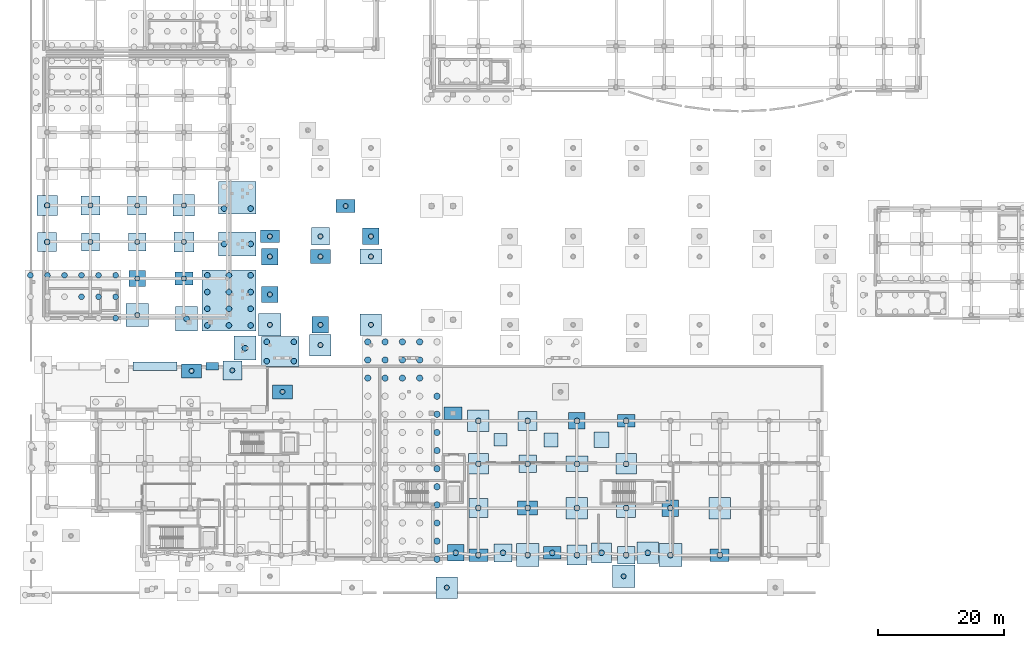
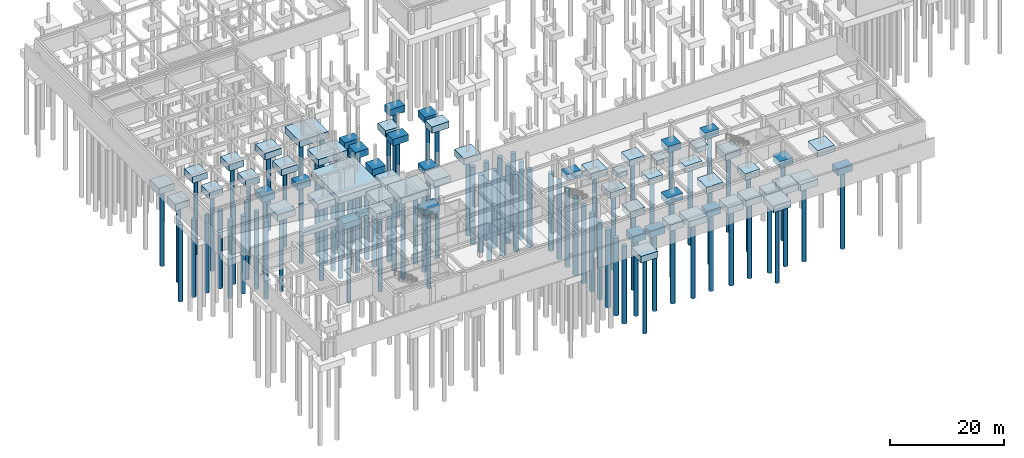
# One storey, part 2 of 22: 106 piles, 65 footings.
"""IFC4 building model written with IfcOpenShell, lengths in metres."""

import ifcopenshell
import ifcopenshell.guid

model = None  # the IFC model being written
_history = None  # IfcOwnerHistory: only IFC2X3 demands one
_inside = {}  # id of a spatial element -> (the spatial element, [elements in it])
_under = {}  # id of a project, library or spatial element -> (it, [spatial elements below it])
_declared = {}  # id of a project -> (the project, [libraries it declares])
_typed = {}  # id of a type object -> (the type object, [elements of that type])
_made_of = {}  # id of a material, layer set ... -> (it, [elements and type objects made of it])


def new_model(schema):
    """Start an empty IFC model of exactly this schema.

    Asked for "IFC4X3", IfcOpenShell would pick the latest addendum, in which some entities
    have other attributes; the version numbers below select the first issue.
    IFC2X3 requires an IfcOwnerHistory on every rooted entity: one is made here for all.
    """
    global model, _history
    if schema == "IFC4X3":
        model = ifcopenshell.file(schema_version=(4, 3, 0, 0))
    else:
        model = ifcopenshell.file(schema=schema)
    _inside.clear()
    _under.clear()
    _declared.clear()
    _typed.clear()
    _made_of.clear()
    _history = None
    if model.schema == "IFC2X3":
        org = make("IfcOrganization", Name="unknown")
        user = make(
            "IfcPersonAndOrganization",
            ThePerson=make("IfcPerson", FamilyName="unknown"),
            TheOrganization=org,
        )
        app = make(
            "IfcApplication",
            ApplicationDeveloper=org,
            Version="unknown",
            ApplicationFullName="unknown",
            ApplicationIdentifier="unknown",
        )
        _history = make(
            "IfcOwnerHistory",
            OwningUser=user,
            OwningApplication=app,
            ChangeAction="ADDED",
            CreationDate=0,
        )
    return model


def make(cls, **values):
    """One entity of the class cls with the attributes given. An attribute that is None is left unset."""
    return model.create_entity(
        cls, **{name: value for name, value in values.items() if value is not None}
    )


def rooted(cls, **values):
    """An entity with a GlobalId (a new one), such as an element, a storey or a relation."""
    return make(cls, GlobalId=ifcopenshell.guid.new(), OwnerHistory=_history, **values)


def si_unit(unit_type, name, prefix=None):
    """IfcSIUnit, for example si_unit("LENGTHUNIT", "METRE", prefix="MILLI")."""
    return make("IfcSIUnit", UnitType=unit_type, Prefix=prefix, Name=name)


def assignment(units):
    """IfcUnitAssignment: the units of a project."""
    return None if units is None else make("IfcUnitAssignment", Units=units)


def point(xyz):
    """IfcCartesianPoint."""
    return None if xyz is None else make("IfcCartesianPoint", Coordinates=xyz)


def direction(xyz):
    """IfcDirection."""
    return None if xyz is None else make("IfcDirection", DirectionRatios=xyz)


def frame(location, z_axis=None, x_axis=None):
    """IfcAxis2Placement3D, a coordinate frame: its origin and axes. An axis left out is left unset."""
    return make(
        "IfcAxis2Placement3D",
        Location=point(location),
        Axis=direction(z_axis),
        RefDirection=direction(x_axis),
    )


def frame_2d(location, x_axis=None):
    """IfcAxis2Placement2D, a coordinate frame in the plane: its origin and x axis."""
    return make(
        "IfcAxis2Placement2D", Location=point(location), RefDirection=direction(x_axis)
    )


def origin():
    """The frame at (0, 0, 0) with its axes left unset."""
    return frame((0.0, 0.0, 0.0))


def origin_2d():
    """The frame at (0, 0) in the plane with its x axis left unset."""
    return frame_2d((0.0, 0.0))


def place(relative_to, where):
    """IfcLocalPlacement: puts the frame where relative to a parent placement (None: the world)."""
    return make(
        "IfcLocalPlacement", PlacementRelTo=relative_to, RelativePlacement=where
    )


def context(
    kind, dimensions, precision=None, world=None, true_north=None, identifier=None
):
    """IfcGeometricRepresentationContext, for example the 3D "Model" context."""
    return make(
        "IfcGeometricRepresentationContext",
        ContextIdentifier=identifier,
        ContextType=kind,
        CoordinateSpaceDimension=dimensions,
        Precision=precision,
        WorldCoordinateSystem=world,
        TrueNorth=true_north,
    )


def subcontext(parent, identifier, kind, view, scale=None):
    """IfcGeometricRepresentationSubContext, for example "Body" below "Model"."""
    return make(
        "IfcGeometricRepresentationSubContext",
        ContextIdentifier=identifier,
        ContextType=kind,
        ParentContext=parent,
        TargetScale=scale,
        TargetView=view,
    )


def project(units=None, contexts=None):
    """IfcProject with its units and contexts."""
    return rooted(
        "IfcProject",
        Name="project",
        RepresentationContexts=contexts,
        UnitsInContext=assignment(units),
    )


def spatial(cls, under=None, at=None, **own):
    """A site, building, storey or space (cls), placed at a placement, below another one or the project."""
    s = rooted(cls, ObjectPlacement=at, **own)
    if under is not None:
        _under.setdefault(under.id(), (under, []))[1].append(s)
    return s


def polyline(points):
    """IfcPolyline through the points."""
    return make("IfcPolyline", Points=[point(p) for p in points])


def profile(cls, at=None, kind="AREA", **sizes):
    """A parametric profile (cls). Its sizes go by their IFC names, for example OverallWidth=200.0."""
    return make(cls, ProfileType=kind, Position=at, **sizes)


def rectangle(**sizes):
    """IfcRectangleProfileDef."""
    return profile("IfcRectangleProfileDef", **sizes)


def circle(**sizes):
    """IfcCircleProfileDef."""
    return profile("IfcCircleProfileDef", **sizes)


def outline(outer, holes=None, kind="AREA"):
    """IfcArbitraryClosedProfileDef: a profile drawn as a closed curve; with holes, ...WithVoids."""
    if holes is None:
        return make("IfcArbitraryClosedProfileDef", ProfileType=kind, OuterCurve=outer)
    return make(
        "IfcArbitraryProfileDefWithVoids",
        ProfileType=kind,
        OuterCurve=outer,
        InnerCurves=holes,
    )


def extrude(swept, where, along, depth):
    """IfcExtrudedAreaSolid: the profile swept, set in the frame where, extruded along a direction by depth."""
    return make(
        "IfcExtrudedAreaSolid",
        SweptArea=swept,
        Position=where,
        ExtrudedDirection=direction(along),
        Depth=depth,
    )


def shape(context_of_items, identifier, shape_type, items):
    """IfcShapeRepresentation: the items that make up one representation, for example the "Body"."""
    return make(
        "IfcShapeRepresentation",
        ContextOfItems=context_of_items,
        RepresentationIdentifier=identifier,
        RepresentationType=shape_type,
        Items=items,
    )


def material(Name=None, Category=None):
    """IfcMaterial."""
    return make("IfcMaterial", Name=Name, Category=Category)


def material_profile(
    of_material, cross_section, Name=None, Category=None, Priority=None
):
    """IfcMaterialProfile: a cross section and its material."""
    return make(
        "IfcMaterialProfile",
        Name=Name,
        Material=of_material,
        Profile=cross_section,
        Priority=Priority,
        Category=Category,
    )


def profile_set(profiles, Name=None, composite=None):
    """IfcMaterialProfileSet."""
    return make(
        "IfcMaterialProfileSet",
        Name=Name,
        MaterialProfiles=profiles,
        CompositeProfile=composite,
    )


def made_of(thing, what):
    """Note that an element or type object is made of a material, layer set ...; save() writes the relation."""
    if what is not None:
        _made_of.setdefault(what.id(), (what, []))[1].append(thing)
    return thing


def type_object(cls, material=None, **own):
    """A type object (cls), such as IfcWallType, which elements share."""
    return made_of(rooted(cls, **own), material)


def element(
    cls,
    number,
    at=None,
    inside=None,
    cuts=None,
    type_object=None,
    material=None,
    context=None,
    identifier="Body",
    shape_type=None,
    held_by="IfcProductDefinitionShape",
    body=None,
    shapes=None,
    **own,
):
    """One element of the class cls, such as IfcWall. Its Tag is "e" and its number.

    at: its placement. inside: the storey or other place that contains it. cuts: it is an
    opening in that element (IfcRelVoidsElement). A single representation is given by context,
    identifier, shape_type and body (its items); several are given by shapes. held_by: the class
    of the entity that holds the representations. save() writes the other relations.
    """
    e = rooted(cls, Tag="e%d" % number, ObjectPlacement=at, **own)
    if body is not None:
        shapes = [shape(context, identifier, shape_type, body)]
    if shapes is not None:
        e.Representation = make(held_by, Representations=shapes)
    if inside is not None:
        _inside.setdefault(inside.id(), (inside, []))[1].append(e)
    if cuts is not None:
        rooted(
            "IfcRelVoidsElement", RelatingBuildingElement=cuts, RelatedOpeningElement=e
        )
    if type_object is not None:
        _typed.setdefault(type_object.id(), (type_object, []))[1].append(e)
    return made_of(e, material)


def aggregate(whole, parts):
    """IfcRelAggregates: a whole, such as a stair, and the parts it consists of."""
    return rooted("IfcRelAggregates", RelatingObject=whole, RelatedObjects=parts)


def save(model, path):
    """Write the relations noted so far, then the file.

    IfcRelAggregates (storeys below a building ...), IfcRelContainedInSpatialStructure (elements
    in a storey), IfcRelDefinesByType, IfcRelAssociatesMaterial and IfcRelDeclares: one each for
    every whole, place, type object, material and project.
    """
    for whole, parts in _under.values():
        aggregate(whole, parts)
    for where, things in _inside.values():
        rooted(
            "IfcRelContainedInSpatialStructure",
            RelatedElements=things,
            RelatingStructure=where,
        )
    for kind, things in _typed.values():
        rooted("IfcRelDefinesByType", RelatedObjects=things, RelatingType=kind)
    for what, things in _made_of.values():
        rooted("IfcRelAssociatesMaterial", RelatedObjects=things, RelatingMaterial=what)
    for by, libraries in _declared.values():
        rooted("IfcRelDeclares", RelatingContext=by, RelatedDefinitions=libraries)
    model.write(path)


model = new_model("IFC4")

# Units and contexts
model_context = context("Model", 3, precision=1e-05, world=origin(), true_north=direction((0.0, 1.0)))
body_context = subcontext(model_context, "Body", "Model", "MODEL_VIEW")
ifc_project = project(units=[si_unit("LENGTHUNIT", "METRE"), si_unit("AREAUNIT", "SQUARE_METRE"), si_unit("VOLUMEUNIT", "CUBIC_METRE"), si_unit("PLANEANGLEUNIT", "RADIAN"), si_unit("MASSUNIT", "GRAM", prefix="KILO")], contexts=[model_context])

# Site, building, storey
site_placement = place(None, origin())
site = spatial("IfcSite", under=ifc_project, at=site_placement, CompositionType="ELEMENT")
building_placement = place(site_placement, origin())
building = spatial("IfcBuilding", under=site, at=building_placement, Name="Valcora Specialist Clinic", CompositionType="ELEMENT")
storey_placement = place(building_placement, frame((0.0, 0.0, -4.419921875)))
storey = spatial("IfcBuildingStorey", under=building, at=storey_placement, Name="B1", CompositionType="ELEMENT", Elevation=-4.419921875)

# Footings
ifc_material = material(Name="Concrete C35/45", Category="concrete")
footing_type_1 = type_object("IfcFootingType", Name="TY-FT-PC2600", PredefinedType="PILE_CAP", material=ifc_material)
for number, where, z_axis, x_axis, name in (
    (1, (15.0, 44.535888671875, -1.400146484375), (0.0, 0.0, 1.0), (1.0, 0.0, 0.0), "Pile cap FT-PC-012"),
    (2, (84.60009765625, 22.0, -1.400146484375), (0.0, 0.0, 1.0), (1.0, 0.0, 0.0), "Pile cap FT-PC-156"),
    (3, (99.39990234375, 8.199951171875, -1.400146484375), (0.0, 0.0, 1.0), (1.0, 0.0, 0.0), "Pile cap FT-PC-162"),
    (4, (65.39990234375, 1.10009765625, -1.400146484375), (0.0, 0.0, 1.0), (1.0, 0.0, 0.0), "Pile cap FT-PC-198"),
    (5, (36.0, 48.0, -1.400146484375), (0.0, 0.0, 1.0), (1.0, 0.0, 0.0), "Pile cap FT-PC-204"),
    (6, (44.0, 37.199951171875, -1.400146484375), (0.0, 0.0, 1.0), (1.0, 0.0, 0.0), "Pile cap FT-PC-209"),
    (7, (52.0, 51.199951171875, -1.400146484375), (0.0, 0.0, 1.0), (1.0, 0.0, 0.0), "Pile cap FT-PC-216"),
    (8, (36.0, 42.0, -1.400146484375), (0.0, 0.0, 1.0), (1.0, 0.0, 0.0), "Pile cap FT-PC-264"),
):
    element("IfcFooting", number, at=place(storey_placement, frame(where, z_axis=z_axis, x_axis=x_axis)), inside=storey, type_object=footing_type_1, Name=name, PredefinedType="PILE_CAP", context=body_context, shape_type="SweptSolid", body=[
        extrude(rectangle(XDim=2.60009765625, YDim=2.60009765625, at=origin_2d()), origin(), (0.0, 0.0, 1.0), 1.39990234375),
    ])
footing_type_2 = type_object("IfcFootingType", Name="TY-FT-PC2800", PredefinedType="PILE_CAP", material=ifc_material)
for number, where, z_axis, x_axis, name in (
    (9, (7.60009765625, 50.321044921875, -1.400146484375), (0.0, 0.0, 1.0), (1.0, 0.0, 0.0), "Pile cap FT-PC-007"),
    (10, (15.0, 50.321044921875, -1.400146484375), (0.0, 0.0, 1.0), (1.0, 0.0, 0.0), "Pile cap FT-PC-013"),
    (11, (76.800048828125, 15.199951171875, -1.400146484375), (0.0, 0.0, 1.0), (1.0, 0.0, 0.0), "Pile cap FT-PC-151"),
    (12, (92.39990234375, 0.75, -1.400146484375), (0.0, 0.0, 1.0), (1.0, 0.0, 0.0), "Pile cap FT-PC-157"),
    (13, (72.89990234375, 1.10009765625, -1.400146484375), (0.0, 0.0, 1.0), (1.0, 0.0, 0.0), "Pile cap FT-PC-199"),
    (14, (44.0, 51.199951171875, -1.400146484375), (0.0, 0.0, 1.0), (1.0, 0.0, 0.0), "Pile cap FT-PC-211"),
):
    element("IfcFooting", number, at=place(storey_placement, frame(where, z_axis=z_axis, x_axis=x_axis)), inside=storey, type_object=footing_type_2, Name=name, PredefinedType="PILE_CAP", context=body_context, shape_type="SweptSolid", body=[
        extrude(rectangle(XDim=2.800048828125, YDim=2.800048828125, at=origin_2d()), origin(), (0.0, 0.0, 1.0), 1.39990234375),
    ])
footing_type_3 = type_object("IfcFootingType", Name="TY-FT-PC2800X2000", PredefinedType="PILE_CAP", material=ifc_material)
for number, where, z_axis, x_axis, name in (
    (15, (22.39990234375, 44.535888671875, -1.400146484375), (0.0, 0.0, 1.0), (1.0, 0.0, 0.0), "Pile cap FT-PC-020"),
    (16, (92.39990234375, 22.0, -1.400146484375), (0.0, 0.0, 1.0), (1.0, 0.0, 0.0), "Pile cap FT-PC-160"),
    (17, (65.0, 23.199951171875, -1.400146484375), (0.0, 0.0, 1.0), (1.0, 0.0, 0.0), "Pile cap FT-PC-180"),
    (18, (80.699951171875, 1.10009765625, -1.400146484375), (0.0, 0.0, 1.0), (1.0, 0.0, 0.0), "Pile cap FT-PC-200"),
):
    element("IfcFooting", number, at=place(storey_placement, frame(where, z_axis=z_axis, x_axis=x_axis)), inside=storey, type_object=footing_type_3, Name=name, PredefinedType="PILE_CAP", context=body_context, shape_type="SweptSolid", body=[
        extrude(rectangle(XDim=2.800048828125, YDim=2.0, at=origin_2d()), origin(), (0.0, 0.0, 1.0), 1.39990234375),
    ])
footing_type_4 = type_object("IfcFootingType", Name="TY-FT-PC3000", PredefinedType="PILE_CAP", material=ifc_material)
for number, where, z_axis, x_axis, name in (
    (19, (0.75, 50.321044921875, -1.400146484375), (0.0, 0.0, 1.0), (1.0, 0.0, 0.0), "Pile cap FT-PC-002"),
    (20, (7.60009765625, 56.10693359375, -1.400146484375), (0.0, 0.0, 1.0), (1.0, 0.0, 0.0), "Pile cap FT-PC-008"),
    (21, (15.0, 56.10693359375, -1.400146484375), (0.0, 0.0, 1.0), (1.0, 0.0, 0.0), "Pile cap FT-PC-014"),
    (22, (69.0, 8.199951171875, -1.400146484375), (0.0, 0.0, 1.0), (1.0, 0.0, 0.0), "Pile cap FT-PC-146"),
    (23, (76.800048828125, 22.0, -1.400146484375), (0.0, 0.0, 1.0), (1.0, 0.0, 0.0), "Pile cap FT-PC-152"),
    (24, (92.39990234375, 8.199951171875, -1.400146484375), (0.0, 0.0, 1.0), (1.0, 0.0, 0.0), "Pile cap FT-PC-158"),
    (25, (30.050048828125, 30.0, -1.400146484375), (0.0, 0.0, 1.0), (1.0, 0.0, 0.0), "Pile cap FT-PC-194"),
):
    element("IfcFooting", number, at=place(storey_placement, frame(where, z_axis=z_axis, x_axis=x_axis)), inside=storey, type_object=footing_type_4, Name=name, PredefinedType="PILE_CAP", context=body_context, shape_type="SweptSolid", body=[
        extrude(rectangle(XDim=3.0, YDim=3.0, at=origin_2d()), origin(), (0.0, 0.0, 1.0), 1.39990234375),
    ])
footing_type_5 = type_object("IfcFootingType", Name="TY-FT-PC3000X2000", PredefinedType="PILE_CAP", material=ifc_material)
for number, where, z_axis, x_axis, name in (
    (26, (69.0, 0.75, -1.400146484375), (0.0, 0.0, 1.0), (1.0, 0.0, 0.0), "Pile cap FT-PC-145"),
    (27, (107.199951171875, 0.75, -1.400146484375), (0.0, 0.0, 1.0), (1.0, 0.0, 0.0), "Pile cap FT-PC-165"),
    (28, (36.0, 51.199951171875, -1.400146484375), (0.0, 0.0, 1.0), (1.0, 0.0, 0.0), "Pile cap FT-PC-205"),
    (29, (48.0, 56.0, -1.400146484375), (0.0, 0.0, 1.0), (1.0, 0.0, 0.0), "Pile cap FT-PC-265"),
):
    element("IfcFooting", number, at=place(storey_placement, frame(where, z_axis=z_axis, x_axis=x_axis)), inside=storey, type_object=footing_type_5, Name=name, PredefinedType="PILE_CAP", context=body_context, shape_type="SweptSolid", body=[
        extrude(rectangle(XDim=3.0, YDim=2.0, at=origin_2d()), origin(), (0.0, 0.0, 1.0), 1.39990234375),
    ])
footing_type_6 = type_object("IfcFootingType", Name="TY-FT-PC3200", PredefinedType="PILE_CAP", material=ifc_material)
for number, where, z_axis, x_axis, name in (
    (30, (0.75, 56.10693359375, -1.400146484375), (0.0, 0.0, 1.0), (1.0, 0.0, 0.0), "Pile cap FT-PC-003"),
    (31, (22.39990234375, 50.321044921875, -1.400146484375), (0.0, 0.0, 1.0), (1.0, 0.0, 0.0), "Pile cap FT-PC-021"),
    (32, (69.0, 15.199951171875, -1.400146484375), (0.0, 0.0, 1.0), (1.0, 0.0, 0.0), "Pile cap FT-PC-147"),
    (33, (84.60009765625, 0.75, -1.400146484375), (0.0, 0.0, 1.0), (1.0, 0.0, 0.0), "Pile cap FT-PC-153"),
    (34, (92.39990234375, 15.199951171875, -1.400146484375), (0.0, 0.0, 1.0), (1.0, 0.0, 0.0), "Pile cap FT-PC-159"),
    (35, (88.5, 1.10009765625, -1.400146484375), (0.0, 0.0, 1.0), (1.0, 0.0, 0.0), "Pile cap FT-PC-201"),
):
    element("IfcFooting", number, at=place(storey_placement, frame(where, z_axis=z_axis, x_axis=x_axis)), inside=storey, type_object=footing_type_6, Name=name, PredefinedType="PILE_CAP", context=body_context, shape_type="SweptSolid", body=[
        extrude(rectangle(XDim=3.199951171875, YDim=3.199951171875, at=origin_2d()), origin(), (0.0, 0.0, 1.0), 1.39990234375),
    ])
footing_type_7 = type_object("IfcFootingType", Name="TY-FT-PC3200X2200", PredefinedType="PILE_CAP", material=ifc_material)
for number, where, z_axis, x_axis, name in (
    (36, (76.800048828125, 8.199951171875, -1.400146484375), (0.0, 0.0, 1.0), (1.0, 0.0, 0.0), "Pile cap FT-PC-150"),
    (37, (38.0, 26.60009765625, -1.400146484375), (0.0, 0.0, 1.0), (1.0, 0.0, 0.0), "Pile cap FT-PC-190"),
    (38, (44.0, 48.0, -1.400146484375), (0.0, 0.0, 1.0), (1.0, 0.0, 0.0), "Pile cap FT-PC-210"),
    (39, (23.60009765625, 29.89990234375, -1.400146484375), (0.0, 0.0, 1.0), (1.0, 0.0, 0.0), "Pile cap FT-PC-270"),
):
    element("IfcFooting", number, at=place(storey_placement, frame(where, z_axis=z_axis, x_axis=x_axis)), inside=storey, type_object=footing_type_7, Name=name, PredefinedType="PILE_CAP", context=body_context, shape_type="SweptSolid", body=[
        extrude(rectangle(XDim=3.199951171875, YDim=2.199951171875, at=origin_2d()), origin(), (0.0, 0.0, 1.0), 1.39990234375),
    ])
footing_type_8 = type_object("IfcFootingType", Name="TY-FT-PC3400", PredefinedType="PILE_CAP", material=ifc_material)
for number, where, z_axis, x_axis, name in (
    (40, (22.39990234375, 56.10693359375, -1.400146484375), (0.0, 0.0, 1.0), (1.0, 0.0, 0.0), "Pile cap FT-PC-022"),
    (41, (69.0, 22.0, -1.400146484375), (0.0, 0.0, 1.0), (1.0, 0.0, 0.0), "Pile cap FT-PC-148"),
    (42, (84.60009765625, 8.199951171875, -1.400146484375), (0.0, 0.0, 1.0), (1.0, 0.0, 0.0), "Pile cap FT-PC-154"),
    (43, (107.199951171875, 8.199951171875, -1.400146484375), (0.0, 0.0, 1.0), (1.0, 0.0, 0.0), "Pile cap FT-PC-166"),
    (44, (95.800048828125, 1.10009765625, -1.400146484375), (0.0, 0.0, 1.0), (1.0, 0.0, 0.0), "Pile cap FT-PC-202"),
    (45, (44.0, 34.0, -1.400146484375), (0.0, 0.0, 1.0), (1.0, 0.0, 0.0), "Pile cap FT-PC-208"),
    (46, (52.0, 37.199951171875, -1.400146484375), (0.0, 0.0, 1.0), (1.0, 0.0, 0.0), "Pile cap FT-PC-214"),
    (47, (64.0, -4.39990234375, -1.400146484375), (0.0, 0.0, 1.0), (1.0, 0.0, 0.0), "Pile cap FT-PC-256"),
):
    element("IfcFooting", number, at=place(storey_placement, frame(where, z_axis=z_axis, x_axis=x_axis)), inside=storey, type_object=footing_type_8, Name=name, PredefinedType="PILE_CAP", context=body_context, shape_type="SweptSolid", body=[
        extrude(rectangle(XDim=3.39990234375, YDim=3.39990234375, at=origin_2d()), origin(), (0.0, 0.0, 1.0), 1.39990234375),
    ])
footing_type_9 = type_object("IfcFootingType", Name="TY-FT-PC3500X2400", PredefinedType="PILE_CAP", material=ifc_material)
for number, where, z_axis, x_axis, name in (
    (48, (84.60009765625, 15.199951171875, -1.400146484375), (0.0, 0.0, 1.0), (1.0, 0.0, 0.0), "Pile cap FT-PC-155"),
    (49, (52.0, 48.0, -1.400146484375), (0.0, 0.0, 1.0), (1.0, 0.0, 0.0), "Pile cap FT-PC-215"),
):
    element("IfcFooting", number, at=place(storey_placement, frame(where, z_axis=z_axis, x_axis=x_axis)), inside=storey, type_object=footing_type_9, Name=name, PredefinedType="PILE_CAP", context=body_context, shape_type="SweptSolid", body=[
        extrude(rectangle(XDim=3.5, YDim=2.39990234375, at=origin_2d()), origin(), (0.0, 0.0, 1.0), 1.39990234375),
    ])
footing_type_10 = type_object("IfcFootingType", Name="TY-FT-PC3600", PredefinedType="PILE_CAP", material=ifc_material)
for number, where, z_axis, x_axis, name in (
    (50, (15.0, 38.75, -1.400146484375), (0.0, 0.0, 1.0), (1.0, 0.0, 0.0), "Pile cap FT-PC-011"),
    (51, (76.800048828125, 0.75, -1.400146484375), (0.0, 0.0, 1.0), (1.0, 0.0, 0.0), "Pile cap FT-PC-149"),
    (52, (99.39990234375, 0.75, -1.400146484375), (0.0, 0.0, 1.0), (1.0, 0.0, 0.0), "Pile cap FT-PC-161"),
    (53, (36.0, 37.199951171875, -1.400146484375), (0.0, 0.0, 1.0), (1.0, 0.0, 0.0), "Pile cap FT-PC-203"),
    (54, (92.0, -2.60009765625, -1.400146484375), (0.0, 0.0, 1.0), (1.0, 0.0, 0.0), "Pile cap FT-PC-257"),
):
    element("IfcFooting", number, at=place(storey_placement, frame(where, z_axis=z_axis, x_axis=x_axis)), inside=storey, type_object=footing_type_10, Name=name, PredefinedType="PILE_CAP", context=body_context, shape_type="SweptSolid", body=[
        extrude(rectangle(XDim=3.60009765625, YDim=3.60009765625, at=origin_2d()), origin(), (0.0, 0.0, 1.0), 1.39990234375),
    ])
footing_type_11 = type_object("IfcFootingType", Name="TY-FT-PC4200X2800", PredefinedType="PILE_CAP", material=ifc_material)
footing_1_placement = place(storey_placement, frame((0.0, 0.0, -1.400146484375)))
element("IfcFooting", 55, at=footing_1_placement, inside=storey, type_object=footing_type_11, Name="Combined pile cap FT-PC-027", PredefinedType="PILE_CAP", context=body_context, shape_type="SweptSolid", body=[
    extrude(outline(polyline([(27.89990234375, 48.10009765625), (33.800048828125, 48.10009765625), (33.800048828125, 51.89990234375), (27.89990234375, 51.89990234375), (27.89990234375, 48.10009765625)])), origin(), (0.0, 0.0, 1.0), 1.400146484375),
])
footing_2_placement = place(storey_placement, frame((0.0, 0.0, -1.400146484375)))
element("IfcFooting", 56, at=footing_2_placement, inside=storey, type_object=footing_type_11, Name="Combined pile cap FT-PC-189", PredefinedType="PILE_CAP", context=body_context, shape_type="SweptSolid", body=[
    extrude(outline(polyline([(34.64990234375, 30.60009765625), (40.64990234375, 30.60009765625), (40.64990234375, 35.35009765625), (34.64990234375, 35.35009765625), (34.64990234375, 30.60009765625)])), origin(), (0.0, 0.0, 1.0), 1.400146484375),
])
footing_type_12 = type_object("IfcFootingType", Name="TY-FT-PC4500X3000", PredefinedType="PILE_CAP", material=ifc_material)
footing_3_placement = place(storey_placement, frame((0.0, 0.0, -1.400146484375)))
element("IfcFooting", 57, at=footing_3_placement, inside=storey, type_object=footing_type_12, Name="Combined pile cap FT-PC-019", PredefinedType="PILE_CAP", context=body_context, shape_type="SweptSolid", body=[
    extrude(outline(polyline([(21.050048828125, 36.25), (24.550048828125, 36.25), (24.550048828125, 40.10009765625), (21.050048828125, 40.10009765625), (21.050048828125, 36.25)])), origin(), (0.0, 0.0, 1.0), 1.400146484375),
])
footing_4_placement = place(storey_placement, frame((0.0, 0.0, -1.400146484375)))
element("IfcFooting", 58, at=footing_4_placement, inside=storey, type_object=footing_type_12, Name="Combined pile cap FT-PC-028", PredefinedType="PILE_CAP", context=body_context, shape_type="SweptSolid", body=[
    extrude(outline(polyline([(27.89990234375, 54.757080078125), (33.800048828125, 54.757080078125), (33.800048828125, 59.89990234375), (27.89990234375, 59.89990234375), (27.89990234375, 54.757080078125)])), origin(), (0.0, 0.0, 1.0), 1.400146484375),
])
footing_type_13 = type_object("IfcFootingType", Name="TY-FT-PC4800X3200", PredefinedType="PILE_CAP", material=ifc_material)
footing_5_placement = place(storey_placement, frame((0.0, 0.0, -1.400146484375)))
element("IfcFooting", 59, at=footing_5_placement, inside=storey, type_object=footing_type_13, Name="Combined pile cap FT-PC-026", PredefinedType="PILE_CAP", context=body_context, shape_type="SweptSolid", body=[
    extrude(outline(polyline([(25.25, 36.25), (33.800048828125, 36.25), (33.800048828125, 45.885986328125), (25.25, 45.885986328125), (25.25, 36.25)])), origin(), (0.0, 0.0, 1.0), 1.400146484375),
])
footing_6_placement = place(storey_placement, frame((0.0, 0.0, -1.400146484375)))
element("IfcFooting", 60, at=footing_6_placement, inside=storey, type_object=footing_type_13, Name="Combined pile cap FT-PC-272", PredefinedType="PILE_CAP", context=body_context, shape_type="SweptSolid", body=[
    extrude(outline(polyline([(30.300048828125, 31.60009765625), (33.800048828125, 31.60009765625), (33.800048828125, 35.39990234375), (30.300048828125, 35.39990234375), (30.300048828125, 31.60009765625)])), origin(), (0.0, 0.0, 1.0), 1.400146484375),
])
footing_type_14 = type_object("IfcFootingType", Name="TY-FT-PD2000", PredefinedType="PAD_FOOTING", material=ifc_material)
footing_7_placement = place(storey_placement, frame((72.5, 19.0, -0.9501953125), z_axis=(0.0, 0.0, 1.0), x_axis=(1.0, 0.0, 0.0)))
element("IfcFooting", 61, at=footing_7_placement, inside=storey, type_object=footing_type_14, Name="Equipment pad footing FT-PAD-03", PredefinedType="PAD_FOOTING", context=body_context, shape_type="SweptSolid", body=[
    extrude(rectangle(XDim=2.0, YDim=2.0, at=origin_2d()), origin(), (0.0, 0.0, 1.0), 0.949951171875),
])
footing_type_15 = type_object("IfcFootingType", Name="TY-FT-PD2200", PredefinedType="PAD_FOOTING", material=ifc_material)
footing_8_placement = place(storey_placement, frame((80.5, 19.0, -1.0), z_axis=(0.0, 0.0, 1.0), x_axis=(1.0, 0.0, 0.0)))
element("IfcFooting", 62, at=footing_8_placement, inside=storey, type_object=footing_type_15, Name="Equipment pad footing FT-PAD-04", PredefinedType="PAD_FOOTING", context=body_context, shape_type="SweptSolid", body=[
    extrude(rectangle(XDim=2.199951171875, YDim=2.199951171875, at=origin_2d()), origin(), (0.0, 0.0, 1.0), 1.0),
])
footing_type_16 = type_object("IfcFootingType", Name="TY-FT-PD2400", PredefinedType="PAD_FOOTING", material=ifc_material)
footing_9_placement = place(storey_placement, frame((88.5, 19.0, -1.05029296875), z_axis=(0.0, 0.0, 1.0), x_axis=(1.0, 0.0, 0.0)))
element("IfcFooting", 63, at=footing_9_placement, inside=storey, type_object=footing_type_16, Name="Equipment pad footing FT-PAD-05", PredefinedType="PAD_FOOTING", context=body_context, shape_type="SweptSolid", body=[
    extrude(rectangle(XDim=2.39990234375, YDim=2.39990234375, at=origin_2d()), origin(), (0.0, 0.0, 1.0), 1.050048828125),
])
footing_type_17 = type_object("IfcFootingType", Name="TY-FT-SF5600", PredefinedType="STRIP_FOOTING", material=ifc_material)
footing_10_placement = place(storey_placement, frame((26.875, 30.64990234375, -0.80029296875), z_axis=(0.0, 0.0, 1.0), x_axis=(1.0, 0.0, 0.0)))
element("IfcFooting", 64, at=footing_10_placement, inside=storey, type_object=footing_type_17, Name="Strip footing FT-STR-007", PredefinedType="STRIP_FOOTING", context=body_context, shape_type="SweptSolid", body=[
    extrude(rectangle(XDim=1.949951171875, YDim=1.199951171875, at=origin_2d()), origin(), (0.0, 0.0, 1.0), 0.800048828125),
])
footing_type_18 = type_object("IfcFootingType", Name="TY-FT-SF7800", PredefinedType="STRIP_FOOTING", material=ifc_material)
footing_11_placement = place(storey_placement, frame((17.800048828125, 30.64990234375, -0.85009765625), z_axis=(0.0, 0.0, 1.0), x_axis=(1.0, 0.0, 0.0)))
element("IfcFooting", 65, at=footing_11_placement, inside=storey, type_object=footing_type_18, Name="Strip footing FT-STR-006", PredefinedType="STRIP_FOOTING", context=body_context, shape_type="SweptSolid", body=[
    extrude(rectangle(XDim=7.0, YDim=1.300048828125, at=origin_2d()), origin(), (0.0, 0.0, 1.0), 0.85009765625),
])

# Piles
ifc_material_profile_1 = material_profile(ifc_material, circle(Radius=0.5, at=origin_2d()), Name="RC-PIL-D1000")
ifc_profile_set_1 = profile_set([ifc_material_profile_1], Name="Concrete C35/45")
pile_type_1 = type_object("IfcPileType", Name="TY-PL-B1000", PredefinedType="BORED", material=ifc_profile_set_1)
for number, where, z_axis, x_axis, name in (
    (66, (51.5, 28.76708984375, -1.300048828125), (0.0, 0.0, -1.0), (1.0, 0.0, 0.0), "Bored pile PL-FT-PC-144-11"),
    (67, (51.5, 31.633056640625, -1.300048828125), (0.0, 0.0, -1.0), (1.0, 0.0, 0.0), "Bored pile PL-FT-PC-144-12"),
    (68, (51.5, 34.5, -1.300048828125), (0.0, 0.0, -1.0), (1.0, 0.0, 0.0), "Bored pile PL-FT-PC-144-13"),
    (69, (54.237060546875, 28.76708984375, -1.300048828125), (0.0, 0.0, -1.0), (1.0, 0.0, 0.0), "Bored pile PL-FT-PC-144-24"),
    (70, (54.237060546875, 31.633056640625, -1.300048828125), (0.0, 0.0, -1.0), (1.0, 0.0, 0.0), "Bored pile PL-FT-PC-144-25"),
    (71, (54.237060546875, 34.5, -1.300048828125), (0.0, 0.0, -1.0), (1.0, 0.0, 0.0), "Bored pile PL-FT-PC-144-26"),
    (72, (56.97509765625, 28.76708984375, -1.300048828125), (0.0, 0.0, -1.0), (1.0, 0.0, 0.0), "Bored pile PL-FT-PC-144-37"),
    (73, (56.97509765625, 31.633056640625, -1.300048828125), (0.0, 0.0, -1.0), (1.0, 0.0, 0.0), "Bored pile PL-FT-PC-144-38"),
    (74, (56.97509765625, 34.5, -1.300048828125), (0.0, 0.0, -1.0), (1.0, 0.0, 0.0), "Bored pile PL-FT-PC-144-39"),
    (75, (59.7119140625, 28.76708984375, -1.300048828125), (0.0, 0.0, -1.0), (1.0, 0.0, 0.0), "Bored pile PL-FT-PC-144-50"),
    (76, (59.7119140625, 31.633056640625, -1.300048828125), (0.0, 0.0, -1.0), (1.0, 0.0, 0.0), "Bored pile PL-FT-PC-144-51"),
    (77, (59.7119140625, 34.5, -1.300048828125), (0.0, 0.0, -1.0), (1.0, 0.0, 0.0), "Bored pile PL-FT-PC-144-52"),
    (78, (62.449951171875, 0.10009765625, -1.300048828125), (0.0, 0.0, -1.0), (1.0, 0.0, 0.0), "Bored pile PL-FT-PC-144-53"),
    (79, (62.449951171875, 2.967041015625, -1.300048828125), (0.0, 0.0, -1.0), (1.0, 0.0, 0.0), "Bored pile PL-FT-PC-144-54"),
    (80, (62.449951171875, 5.8330078125, -1.300048828125), (0.0, 0.0, -1.0), (1.0, 0.0, 0.0), "Bored pile PL-FT-PC-144-55"),
    (81, (62.449951171875, 8.699951171875, -1.300048828125), (0.0, 0.0, -1.0), (1.0, 0.0, 0.0), "Bored pile PL-FT-PC-144-56"),
    (82, (62.449951171875, 11.56689453125, -1.300048828125), (0.0, 0.0, -1.0), (1.0, 0.0, 0.0), "Bored pile PL-FT-PC-144-57"),
    (83, (62.449951171875, 14.43310546875, -1.300048828125), (0.0, 0.0, -1.0), (1.0, 0.0, 0.0), "Bored pile PL-FT-PC-144-58"),
    (84, (62.449951171875, 17.300048828125, -1.300048828125), (0.0, 0.0, -1.0), (1.0, 0.0, 0.0), "Bored pile PL-FT-PC-144-59"),
    (85, (62.449951171875, 20.1669921875, -1.300048828125), (0.0, 0.0, -1.0), (1.0, 0.0, 0.0), "Bored pile PL-FT-PC-144-60"),
    (86, (62.449951171875, 23.032958984375, -1.300048828125), (0.0, 0.0, -1.0), (1.0, 0.0, 0.0), "Bored pile PL-FT-PC-144-61"),
    (87, (62.449951171875, 25.89990234375, -1.300048828125), (0.0, 0.0, -1.0), (1.0, 0.0, 0.0), "Bored pile PL-FT-PC-144-62"),
):
    element("IfcPile", number, at=place(storey_placement, frame(where, z_axis=z_axis, x_axis=x_axis)), inside=storey, type_object=pile_type_1, Name=name, PredefinedType="BORED", context=body_context, shape_type="SweptSolid", body=[
        extrude(circle(Radius=0.5, at=origin_2d()), origin(), (0.0, 0.0, 1.0), 16.699951171875),
    ])
ifc_material_profile_2 = material_profile(ifc_material, circle(Radius=0.39990234375, at=origin_2d()), Name="RC-PIL-D800")
ifc_profile_set_2 = profile_set([ifc_material_profile_2], Name="Concrete C35/45")
pile_type_2 = type_object("IfcPileType", Name="TY-PL-B800", PredefinedType="BORED", material=ifc_profile_set_2)
for number, where, z_axis, x_axis, name in (
    (88, (7.60009765625, 50.321044921875, -1.300048828125), (0.0, 0.0, -1.0), (1.0, 0.0, 0.0), "Bored pile PL-FT-PC-007-01"),
    (89, (7.60009765625, 56.10693359375, -1.300048828125), (0.0, 0.0, -1.0), (1.0, 0.0, 0.0), "Bored pile PL-FT-PC-008-01"),
    (90, (15.0, 38.75, -1.300048828125), (0.0, 0.0, -1.0), (1.0, 0.0, 0.0), "Bored pile PL-FT-PC-011-01"),
    (91, (15.0, 44.535888671875, -1.300048828125), (0.0, 0.0, -1.0), (1.0, 0.0, 0.0), "Bored pile PL-FT-PC-012-01"),
    (92, (15.0, 50.321044921875, -1.300048828125), (0.0, 0.0, -1.0), (1.0, 0.0, 0.0), "Bored pile PL-FT-PC-013-01"),
    (93, (15.0, 56.10693359375, -1.300048828125), (0.0, 0.0, -1.0), (1.0, 0.0, 0.0), "Bored pile PL-FT-PC-014-01"),
    (94, (22.39990234375, 44.535888671875, -1.300048828125), (0.0, 0.0, -1.0), (1.0, 0.0, 0.0), "Bored pile PL-FT-PC-020-01"),
    (95, (22.39990234375, 50.321044921875, -1.300048828125), (0.0, 0.0, -1.0), (1.0, 0.0, 0.0), "Bored pile PL-FT-PC-021-01"),
    (96, (22.39990234375, 56.10693359375, -1.300048828125), (0.0, 0.0, -1.0), (1.0, 0.0, 0.0), "Bored pile PL-FT-PC-022-01"),
    (97, (38.0, 26.60009765625, -1.300048828125), (0.0, 0.0, -1.0), (1.0, 0.0, 0.0), "Bored pile PL-FT-PC-190-01"),
    (98, (30.050048828125, 30.0, -1.300048828125), (0.0, 0.0, -1.0), (1.0, 0.0, 0.0), "Bored pile PL-FT-PC-194-01"),
    (99, (36.0, 37.199951171875, -1.300048828125), (0.0, 0.0, -1.0), (1.0, 0.0, 0.0), "Bored pile PL-FT-PC-203-01"),
    (100, (36.0, 48.0, -1.300048828125), (0.0, 0.0, -1.0), (1.0, 0.0, 0.0), "Bored pile PL-FT-PC-204-01"),
    (101, (36.0, 51.199951171875, -1.300048828125), (0.0, 0.0, -1.0), (1.0, 0.0, 0.0), "Bored pile PL-FT-PC-205-01"),
    (102, (44.0, 34.0, -1.300048828125), (0.0, 0.0, -1.0), (1.0, 0.0, 0.0), "Bored pile PL-FT-PC-208-01"),
    (103, (44.0, 37.199951171875, -1.300048828125), (0.0, 0.0, -1.0), (1.0, 0.0, 0.0), "Bored pile PL-FT-PC-209-01"),
    (104, (44.0, 48.0, -1.300048828125), (0.0, 0.0, -1.0), (1.0, 0.0, 0.0), "Bored pile PL-FT-PC-210-01"),
    (105, (44.0, 51.199951171875, -1.300048828125), (0.0, 0.0, -1.0), (1.0, 0.0, 0.0), "Bored pile PL-FT-PC-211-01"),
    (106, (52.0, 37.199951171875, -1.300048828125), (0.0, 0.0, -1.0), (1.0, 0.0, 0.0), "Bored pile PL-FT-PC-214-01"),
    (107, (52.0, 48.0, -1.300048828125), (0.0, 0.0, -1.0), (1.0, 0.0, 0.0), "Bored pile PL-FT-PC-215-01"),
    (108, (52.0, 51.199951171875, -1.300048828125), (0.0, 0.0, -1.0), (1.0, 0.0, 0.0), "Bored pile PL-FT-PC-216-01"),
    (109, (64.0, -4.39990234375, -1.300048828125), (0.0, 0.0, -1.0), (1.0, 0.0, 0.0), "Bored pile PL-FT-PC-256-01"),
    (110, (92.0, -2.60009765625, -1.300048828125), (0.0, 0.0, -1.0), (1.0, 0.0, 0.0), "Bored pile PL-FT-PC-257-01"),
    (111, (36.0, 42.0, -1.300048828125), (0.0, 0.0, -1.0), (1.0, 0.0, 0.0), "Bored pile PL-FT-PC-264-01"),
    (112, (48.0, 56.0, -1.300048828125), (0.0, 0.0, -1.0), (1.0, 0.0, 0.0), "Bored pile PL-FT-PC-265-01"),
    (113, (23.60009765625, 29.89990234375, -1.300048828125), (0.0, 0.0, -1.0), (1.0, 0.0, 0.0), "Bored pile PL-FT-PC-270-01"),
):
    element("IfcPile", number, at=place(storey_placement, frame(where, z_axis=z_axis, x_axis=x_axis)), inside=storey, type_object=pile_type_2, Name=name, PredefinedType="BORED", context=body_context, shape_type="SweptSolid", body=[
        extrude(circle(Radius=0.39990234375, at=origin_2d()), origin(), (0.0, 0.0, 1.0), 16.699951171875),
    ])
ifc_material_profile_3 = material_profile(ifc_material, circle(Radius=0.449951171875, at=origin_2d()), Name="RC-PIL-D900")
ifc_profile_set_3 = profile_set([ifc_material_profile_3], Name="Concrete C35/45")
pile_type_3 = type_object("IfcPileType", Name="TY-PL-B900", PredefinedType="BORED", material=ifc_profile_set_3)
for number, where, z_axis, x_axis, name in (
    (114, (-1.89990234375, 45.035888671875, -1.300048828125), (0.0, 0.0, -1.0), (1.0, 0.0, 0.0), "Bored pile PL-FT-PC-001-03"),
    (115, (0.7958984375, 45.035888671875, -1.300048828125), (0.0, 0.0, -1.0), (1.0, 0.0, 0.0), "Bored pile PL-FT-PC-001-06"),
    (116, (3.491943359375, 45.035888671875, -1.300048828125), (0.0, 0.0, -1.0), (1.0, 0.0, 0.0), "Bored pile PL-FT-PC-001-09"),
    (117, (6.18798828125, 41.64306640625, -1.300048828125), (0.0, 0.0, -1.0), (1.0, 0.0, 0.0), "Bored pile PL-FT-PC-001-11"),
    (118, (6.18798828125, 45.035888671875, -1.300048828125), (0.0, 0.0, -1.0), (1.0, 0.0, 0.0), "Bored pile PL-FT-PC-001-12"),
    (119, (8.884033203125, 41.64306640625, -1.300048828125), (0.0, 0.0, -1.0), (1.0, 0.0, 0.0), "Bored pile PL-FT-PC-001-14"),
    (120, (8.884033203125, 45.035888671875, -1.300048828125), (0.0, 0.0, -1.0), (1.0, 0.0, 0.0), "Bored pile PL-FT-PC-001-15"),
    (121, (11.580078125, 38.25, -1.300048828125), (0.0, 0.0, -1.0), (1.0, 0.0, 0.0), "Bored pile PL-FT-PC-001-16"),
    (122, (11.580078125, 41.64306640625, -1.300048828125), (0.0, 0.0, -1.0), (1.0, 0.0, 0.0), "Bored pile PL-FT-PC-001-17"),
    (123, (11.580078125, 45.035888671875, -1.300048828125), (0.0, 0.0, -1.0), (1.0, 0.0, 0.0), "Bored pile PL-FT-PC-001-18"),
    (124, (0.75, 50.321044921875, -1.300048828125), (0.0, 0.0, -1.0), (1.0, 0.0, 0.0), "Bored pile PL-FT-PC-002-01"),
    (125, (0.75, 56.10693359375, -1.300048828125), (0.0, 0.0, -1.0), (1.0, 0.0, 0.0), "Bored pile PL-FT-PC-003-01"),
    (126, (22.800048828125, 38.175048828125, -1.300048828125), (0.0, 0.0, -1.0), (1.0, 0.0, 0.0), "Bored pile PL-FT-PC-019-01"),
    (127, (26.10009765625, 37.10009765625, -1.300048828125), (0.0, 0.0, -1.0), (1.0, 0.0, 0.0), "Bored pile PL-FT-PC-026-01"),
    (128, (26.10009765625, 39.7451171875, -1.300048828125), (0.0, 0.0, -1.0), (1.0, 0.0, 0.0), "Bored pile PL-FT-PC-026-02"),
    (129, (26.10009765625, 42.39111328125, -1.300048828125), (0.0, 0.0, -1.0), (1.0, 0.0, 0.0), "Bored pile PL-FT-PC-026-03"),
    (130, (26.10009765625, 45.035888671875, -1.300048828125), (0.0, 0.0, -1.0), (1.0, 0.0, 0.0), "Bored pile PL-FT-PC-026-04"),
    (131, (29.52490234375, 37.10009765625, -1.300048828125), (0.0, 0.0, -1.0), (1.0, 0.0, 0.0), "Bored pile PL-FT-PC-026-05"),
    (132, (29.52490234375, 39.7451171875, -1.300048828125), (0.0, 0.0, -1.0), (1.0, 0.0, 0.0), "Bored pile PL-FT-PC-026-06"),
    (133, (29.52490234375, 42.39111328125, -1.300048828125), (0.0, 0.0, -1.0), (1.0, 0.0, 0.0), "Bored pile PL-FT-PC-026-07"),
    (134, (29.52490234375, 45.035888671875, -1.300048828125), (0.0, 0.0, -1.0), (1.0, 0.0, 0.0), "Bored pile PL-FT-PC-026-08"),
    (135, (32.949951171875, 37.10009765625, -1.300048828125), (0.0, 0.0, -1.0), (1.0, 0.0, 0.0), "Bored pile PL-FT-PC-026-09"),
    (136, (32.949951171875, 39.7451171875, -1.300048828125), (0.0, 0.0, -1.0), (1.0, 0.0, 0.0), "Bored pile PL-FT-PC-026-10"),
    (137, (32.949951171875, 42.39111328125, -1.300048828125), (0.0, 0.0, -1.0), (1.0, 0.0, 0.0), "Bored pile PL-FT-PC-026-11"),
    (138, (32.949951171875, 45.035888671875, -1.300048828125), (0.0, 0.0, -1.0), (1.0, 0.0, 0.0), "Bored pile PL-FT-PC-026-12"),
    (139, (28.75, 50.0, -1.300048828125), (0.0, 0.0, -1.0), (1.0, 0.0, 0.0), "Bored pile PL-FT-PC-027-01"),
    (140, (32.949951171875, 50.0, -1.300048828125), (0.0, 0.0, -1.0), (1.0, 0.0, 0.0), "Bored pile PL-FT-PC-027-02"),
    (141, (28.75, 55.60693359375, -1.300048828125), (0.0, 0.0, -1.0), (1.0, 0.0, 0.0), "Bored pile PL-FT-PC-028-01"),
    (142, (32.949951171875, 55.60693359375, -1.300048828125), (0.0, 0.0, -1.0), (1.0, 0.0, 0.0), "Bored pile PL-FT-PC-028-03"),
    (143, (69.0, 0.75, -1.300048828125), (0.0, 0.0, -1.0), (1.0, 0.0, 0.0), "Bored pile PL-FT-PC-145-01"),
    (144, (69.0, 8.199951171875, -1.300048828125), (0.0, 0.0, -1.0), (1.0, 0.0, 0.0), "Bored pile PL-FT-PC-146-01"),
    (145, (69.0, 15.199951171875, -1.300048828125), (0.0, 0.0, -1.0), (1.0, 0.0, 0.0), "Bored pile PL-FT-PC-147-01"),
    (146, (69.0, 22.0, -1.300048828125), (0.0, 0.0, -1.0), (1.0, 0.0, 0.0), "Bored pile PL-FT-PC-148-01"),
    (147, (76.800048828125, 0.75, -1.300048828125), (0.0, 0.0, -1.0), (1.0, 0.0, 0.0), "Bored pile PL-FT-PC-149-01"),
    (148, (76.800048828125, 8.199951171875, -1.300048828125), (0.0, 0.0, -1.0), (1.0, 0.0, 0.0), "Bored pile PL-FT-PC-150-01"),
    (149, (76.800048828125, 15.199951171875, -1.300048828125), (0.0, 0.0, -1.0), (1.0, 0.0, 0.0), "Bored pile PL-FT-PC-151-01"),
    (150, (76.800048828125, 22.0, -1.300048828125), (0.0, 0.0, -1.0), (1.0, 0.0, 0.0), "Bored pile PL-FT-PC-152-01"),
    (151, (84.60009765625, 0.75, -1.300048828125), (0.0, 0.0, -1.0), (1.0, 0.0, 0.0), "Bored pile PL-FT-PC-153-01"),
    (152, (84.60009765625, 8.199951171875, -1.300048828125), (0.0, 0.0, -1.0), (1.0, 0.0, 0.0), "Bored pile PL-FT-PC-154-01"),
    (153, (84.60009765625, 15.199951171875, -1.300048828125), (0.0, 0.0, -1.0), (1.0, 0.0, 0.0), "Bored pile PL-FT-PC-155-01"),
    (154, (84.60009765625, 22.0, -1.300048828125), (0.0, 0.0, -1.0), (1.0, 0.0, 0.0), "Bored pile PL-FT-PC-156-01"),
    (155, (92.39990234375, 0.75, -1.300048828125), (0.0, 0.0, -1.0), (1.0, 0.0, 0.0), "Bored pile PL-FT-PC-157-01"),
    (156, (92.39990234375, 8.199951171875, -1.300048828125), (0.0, 0.0, -1.0), (1.0, 0.0, 0.0), "Bored pile PL-FT-PC-158-01"),
    (157, (92.39990234375, 15.199951171875, -1.300048828125), (0.0, 0.0, -1.0), (1.0, 0.0, 0.0), "Bored pile PL-FT-PC-159-01"),
    (158, (92.39990234375, 22.0, -1.300048828125), (0.0, 0.0, -1.0), (1.0, 0.0, 0.0), "Bored pile PL-FT-PC-160-01"),
    (159, (99.39990234375, 0.75, -1.300048828125), (0.0, 0.0, -1.0), (1.0, 0.0, 0.0), "Bored pile PL-FT-PC-161-01"),
    (160, (99.39990234375, 8.199951171875, -1.300048828125), (0.0, 0.0, -1.0), (1.0, 0.0, 0.0), "Bored pile PL-FT-PC-162-01"),
    (161, (107.199951171875, 0.75, -1.300048828125), (0.0, 0.0, -1.0), (1.0, 0.0, 0.0), "Bored pile PL-FT-PC-165-01"),
    (162, (35.5, 31.449951171875, -1.300048828125), (0.0, 0.0, -1.0), (1.0, 0.0, 0.0), "Bored pile PL-FT-PC-189-01"),
    (163, (35.5, 34.5, -1.300048828125), (0.0, 0.0, -1.0), (1.0, 0.0, 0.0), "Bored pile PL-FT-PC-189-02"),
    (164, (39.800048828125, 31.449951171875, -1.300048828125), (0.0, 0.0, -1.0), (1.0, 0.0, 0.0), "Bored pile PL-FT-PC-189-03"),
    (165, (39.800048828125, 34.5, -1.300048828125), (0.0, 0.0, -1.0), (1.0, 0.0, 0.0), "Bored pile PL-FT-PC-189-04"),
    (166, (65.39990234375, 1.10009765625, -1.300048828125), (0.0, 0.0, -1.0), (1.0, 0.0, 0.0), "Bored pile PL-FT-PC-198-01"),
    (167, (72.89990234375, 1.10009765625, -1.300048828125), (0.0, 0.0, -1.0), (1.0, 0.0, 0.0), "Bored pile PL-FT-PC-199-01"),
    (168, (80.699951171875, 1.10009765625, -1.300048828125), (0.0, 0.0, -1.0), (1.0, 0.0, 0.0), "Bored pile PL-FT-PC-200-01"),
    (169, (88.5, 1.10009765625, -1.300048828125), (0.0, 0.0, -1.0), (1.0, 0.0, 0.0), "Bored pile PL-FT-PC-201-01"),
    (170, (95.800048828125, 1.10009765625, -1.300048828125), (0.0, 0.0, -1.0), (1.0, 0.0, 0.0), "Bored pile PL-FT-PC-202-01"),
    (171, (32.050048828125, 33.5, -1.300048828125), (0.0, 0.0, -1.0), (1.0, 0.0, 0.0), "Bored pile PL-FT-PC-272-01"),
):
    element("IfcPile", number, at=place(storey_placement, frame(where, z_axis=z_axis, x_axis=x_axis)), inside=storey, type_object=pile_type_3, Name=name, PredefinedType="BORED", context=body_context, shape_type="SweptSolid", body=[
        extrude(circle(Radius=0.449951171875, at=origin_2d()), origin(), (0.0, 0.0, 1.0), 16.699951171875),
    ])

save(model, "model.ifc")
